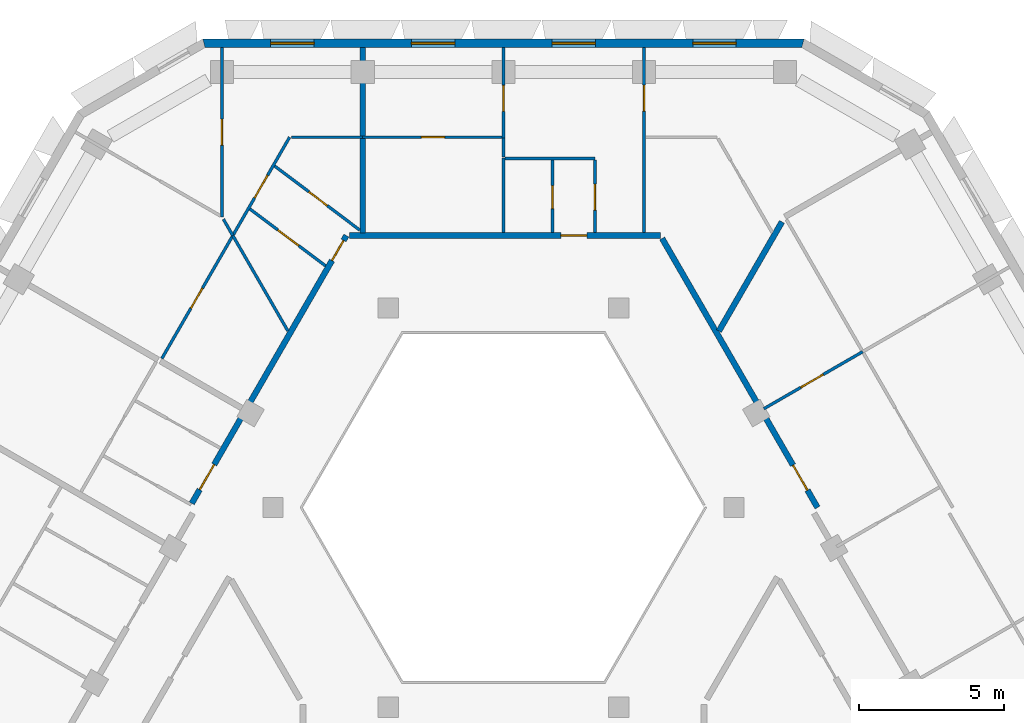
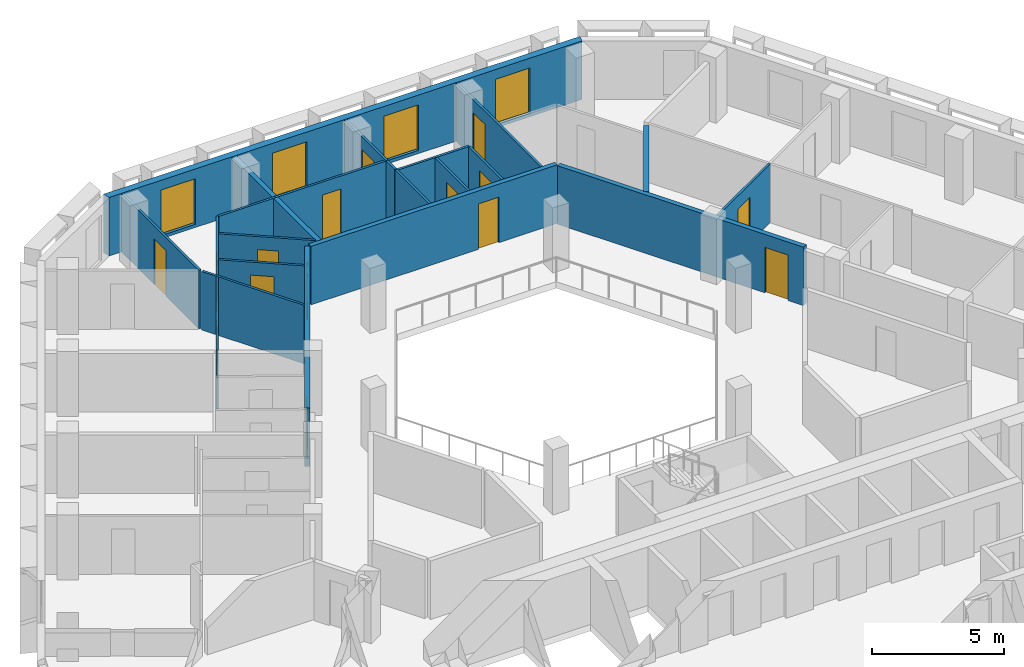
# One storey, part 7 of 15: 22 walls, 15 doors, 4 windows, 19 openings.
"""IFC4 building model written with IfcOpenShell, lengths in metres."""

from ifc_helpers import new_model, si_unit, direction, frame, frame_2d, origin, place, context, subcontext, project, spatial, polyline, rectangle, outline, extrude, material, layer, layer_set, type_object, element, fill, save


model = new_model("IFC4")

# Units and contexts
model_context = context("Model", 3, precision=1e-05, world=origin(), true_north=direction((0.0, 1.0)))
body_context = subcontext(model_context, "Body", "Model", "MODEL_VIEW")
ifc_project = project(units=[si_unit("LENGTHUNIT", "METRE"), si_unit("AREAUNIT", "SQUARE_METRE"), si_unit("VOLUMEUNIT", "CUBIC_METRE"), si_unit("PLANEANGLEUNIT", "RADIAN"), si_unit("MASSUNIT", "GRAM", prefix="KILO")], contexts=[model_context])

# Site, building, storey
site_placement = place(None, origin())
site = spatial("IfcSite", under=ifc_project, at=site_placement, CompositionType="ELEMENT")
building_placement = place(site_placement, origin())
building = spatial("IfcBuilding", under=site, at=building_placement, Name="Beryl Residences", CompositionType="ELEMENT")
storey_placement = place(building_placement, frame((0.0, 0.0, 169.199951171875)))
storey = spatial("IfcBuildingStorey", under=building, at=storey_placement, Name="L51", CompositionType="ELEMENT", Elevation=169.199951171875)

# Wall, openings, windows
ifc_material_1 = material(Name="Composite metal panel with mineral wool insulation")
ifc_layer_1 = layer(ifc_material_1, 0.300048828125)
ifc_layer_set_1 = layer_set([ifc_layer_1], Name="ES1 pale metal composite panel wall 300 mm")
wall_type_1 = type_object("IfcWallType", Name="ES1 pale metal composite panel wall 300 mm", PredefinedType="SOLIDWALL", material=ifc_layer_set_1)
wall_1_placement = place(storey_placement, frame((10.39208984375, 24.050048828125, 0.0), z_axis=(0.0, 0.0, 1.0), x_axis=(-1.0, 0.0, 0.0)))
wall_1 = element("IfcWall", 1, at=wall_1_placement, inside=storey, type_object=wall_type_1, Name="ES1 external wall L51 N", PredefinedType="SOLIDWALL", context=body_context, shape_type="SweptSolid", body=[
    extrude(outline(polyline([(0.0, -0.14990234375), (20.7841796875, -0.14990234375), (20.703857421875, 0.14990234375), (0.080322265625, 0.14990234375), (0.0, -0.14990234375)])), origin(), (0.0, 0.0, 1.0), 2.699951171875),
])
opening_1_placement = place(wall_1_placement, frame((2.345947265625, 0.0, 0.14990234375)))
opening_1 = element("IfcOpeningElement", 2, at=opening_1_placement, cuts=wall_1, Name="Opening W1", PredefinedType="OPENING", context=body_context, shape_type="SweptSolid", body=[
    extrude(rectangle(XDim=1.5, YDim=2.10009765625, at=frame_2d((0.75, 1.050048828125))), frame((0.0, 0.159912109375, 0.0), z_axis=(0.0, -1.0, 0.0), x_axis=(1.0, 0.0, 0.0)), (0.0, 0.0, 1.0), 0.320068359375),
])
opening_2_placement = place(wall_1_placement, frame((7.2099609375, 0.0, 0.14990234375)))
opening_2 = element("IfcOpeningElement", 3, at=opening_2_placement, cuts=wall_1, Name="Opening W1", PredefinedType="OPENING", context=body_context, shape_type="SweptSolid", body=[
    extrude(rectangle(XDim=1.5, YDim=2.10009765625, at=frame_2d((0.75, 1.050048828125))), frame((0.0, 0.159912109375, 0.0), z_axis=(0.0, -1.0, 0.0), x_axis=(1.0, 0.0, 0.0)), (0.0, 0.0, 1.0), 0.320068359375),
])
opening_3_placement = place(wall_1_placement, frame((12.073974609375, 0.0, 0.14990234375)))
opening_3 = element("IfcOpeningElement", 4, at=opening_3_placement, cuts=wall_1, Name="Opening W1", PredefinedType="OPENING", context=body_context, shape_type="SweptSolid", body=[
    extrude(rectangle(XDim=1.5, YDim=2.10009765625, at=frame_2d((0.75, 1.050048828125))), frame((0.0, 0.159912109375, 0.0), z_axis=(0.0, -1.0, 0.0), x_axis=(1.0, 0.0, 0.0)), (0.0, 0.0, 1.0), 0.320068359375),
])
opening_4_placement = place(wall_1_placement, frame((16.93798828125, 0.0, 0.14990234375)))
opening_4 = element("IfcOpeningElement", 5, at=opening_4_placement, cuts=wall_1, Name="Opening W1", PredefinedType="OPENING", context=body_context, shape_type="SweptSolid", body=[
    extrude(rectangle(XDim=1.5, YDim=2.10009765625, at=frame_2d((0.75, 1.050048828125))), frame((0.0, 0.159912109375, 0.0), z_axis=(0.0, -1.0, 0.0), x_axis=(1.0, 0.0, 0.0)), (0.0, 0.0, 1.0), 0.320068359375),
])
ifc_material_2 = material(Name="Aluminium and clear glass", Category="aluminium")
window_type = type_object("IfcWindowType", Name="W1 cell window 1500 x 2100 mm", PartitioningType="SINGLE_PANEL", PredefinedType="WINDOW", material=ifc_material_2)
window_1_placement = place(opening_1_placement, origin())
window_1 = element("IfcWindow", 6, at=window_1_placement, inside=storey, type_object=window_type, Name="W1 window L51 N 2", OverallHeight=2.10009765625, OverallWidth=1.5, PartitioningType="SINGLE_PANEL", PredefinedType="WINDOW", context=body_context, shape_type="SweptSolid", body=[
    extrude(rectangle(XDim=1.5, YDim=2.10009765625, at=frame_2d((0.75, 1.050048828125))), frame((0.0, 0.030029296875, 0.0), z_axis=(0.0, -1.0, 0.0), x_axis=(1.0, 0.0, 0.0)), (0.0, 0.0, 1.0), 0.06005859375),
])
fill(opening_1, window_1)
window_2_placement = place(opening_2_placement, origin())
window_2 = element("IfcWindow", 7, at=window_2_placement, inside=storey, type_object=window_type, Name="W1 window L51 N 4", OverallHeight=2.10009765625, OverallWidth=1.5, PartitioningType="SINGLE_PANEL", PredefinedType="WINDOW", context=body_context, shape_type="SweptSolid", body=[
    extrude(rectangle(XDim=1.5, YDim=2.10009765625, at=frame_2d((0.75, 1.050048828125))), frame((0.0, 0.030029296875, 0.0), z_axis=(0.0, -1.0, 0.0), x_axis=(1.0, 0.0, 0.0)), (0.0, 0.0, 1.0), 0.06005859375),
])
fill(opening_2, window_2)
window_3_placement = place(opening_3_placement, origin())
window_3 = element("IfcWindow", 8, at=window_3_placement, inside=storey, type_object=window_type, Name="W1 window L51 N 6", OverallHeight=2.10009765625, OverallWidth=1.5, PartitioningType="SINGLE_PANEL", PredefinedType="WINDOW", context=body_context, shape_type="SweptSolid", body=[
    extrude(rectangle(XDim=1.5, YDim=2.10009765625, at=frame_2d((0.75, 1.050048828125))), frame((0.0, 0.030029296875, 0.0), z_axis=(0.0, -1.0, 0.0), x_axis=(1.0, 0.0, 0.0)), (0.0, 0.0, 1.0), 0.06005859375),
])
fill(opening_3, window_3)
window_4_placement = place(opening_4_placement, origin())
window_4 = element("IfcWindow", 9, at=window_4_placement, inside=storey, type_object=window_type, Name="W1 window L51 N 8", OverallHeight=2.10009765625, OverallWidth=1.5, PartitioningType="SINGLE_PANEL", PredefinedType="WINDOW", context=body_context, shape_type="SweptSolid", body=[
    extrude(rectangle(XDim=1.5, YDim=2.10009765625, at=frame_2d((0.75, 1.050048828125))), frame((0.0, 0.030029296875, 0.0), z_axis=(0.0, -1.0, 0.0), x_axis=(1.0, 0.0, 0.0)), (0.0, 0.0, 1.0), 0.06005859375),
])
fill(opening_4, window_4)

# Walls
ifc_material_3 = material(Name="Gypsum board partition on steel studs", Category="steel")
ifc_layer_2 = layer(ifc_material_3, 0.10009765625)
ifc_layer_set_2 = layer_set([ifc_layer_2], Name="PT1 partition 100 mm gypsum board on steel studs")
wall_type_2 = type_object("IfcWallType", Name="PT1 partition 100 mm gypsum board on steel studs", PredefinedType="PARTITIONING", material=ifc_layer_set_2)
wall_2_placement = place(storey_placement, frame((-9.677978515625, 17.964111328125, 0.0), z_axis=(0.0, 0.0, 1.0), x_axis=(0.500208928872, -0.865904745036, 0.0)))
element("IfcWall", 10, at=wall_2_placement, inside=storey, type_object=wall_type_2, Name="Wall PT1 L51 001", PredefinedType="PARTITIONING", context=body_context, shape_type="SweptSolid", body=[
    extrude(rectangle(XDim=0.651611328125, YDim=0.10009765625, at=frame_2d((0.32568359375, 0.0))), origin(), (0.0, 0.0, 1.0), 2.699951171875),
])
wall_3_placement = place(storey_placement, frame((0.0, 20.76904296875, 0.0), z_axis=(0.0, 0.0, 1.0), x_axis=(0.0, -1.0, 0.0)))
element("IfcWall", 11, at=wall_3_placement, inside=storey, type_object=wall_type_2, Name="Wall PT1 L51 006", PredefinedType="PARTITIONING", context=body_context, shape_type="SweptSolid", body=[
    extrude(rectangle(XDim=0.658935546875, YDim=0.10009765625, at=frame_2d((0.32958984375, 0.0))), origin(), (0.0, 0.0, 1.0), 2.699951171875),
])

# Wall, opening, door
wall_4_placement = place(storey_placement, frame((3.162109375, 20.009033203125, 0.0), z_axis=(0.0, 0.0, 1.0), x_axis=(0.0, -1.0, 0.0)))
wall_4 = element("IfcWall", 12, at=wall_4_placement, inside=storey, type_object=wall_type_2, Name="Wall PT1 L51 007", PredefinedType="PARTITIONING", context=body_context, shape_type="SweptSolid", body=[
    extrude(rectangle(XDim=2.509033203125, YDim=0.10009765625, at=frame_2d((1.25439453125, 0.0))), origin(), (0.0, 0.0, 1.0), 2.699951171875),
])
opening_5_placement = place(wall_4_placement, frame((0.8291015625, 0.0, 0.0)))
opening_5 = element("IfcOpeningElement", 13, at=opening_5_placement, cuts=wall_4, Name="Opening D1625", PredefinedType="OPENING", context=body_context, shape_type="SweptSolid", body=[
    extrude(rectangle(XDim=0.89990234375, YDim=2.10009765625, at=frame_2d((0.449951171875, 1.050048828125))), frame((0.0, 0.06005859375, 0.0), z_axis=(0.0, -1.0, 0.0), x_axis=(1.0, 0.0, 0.0)), (0.0, 0.0, 1.0), 0.1201171875),
])
ifc_material_4 = material(Name="Timber door leaf", Category="wood")
door_type_1 = type_object("IfcDoorType", Name="D2 room door 900 x 2100 mm", OperationType="SINGLE_SWING_LEFT", PredefinedType="DOOR", material=ifc_material_4)
door_1_placement = place(opening_5_placement, origin())
door_1 = element("IfcDoor", 14, at=door_1_placement, inside=storey, type_object=door_type_1, Name="Door D1625 L51 001", OperationType="SINGLE_SWING_LEFT", OverallHeight=2.10009765625, OverallWidth=0.89990234375, PredefinedType="DOOR", context=body_context, shape_type="SweptSolid", body=[
    extrude(rectangle(XDim=0.89990234375, YDim=2.10009765625, at=frame_2d((0.449951171875, 1.050048828125))), frame((0.0, 0.02490234375, 0.0), z_axis=(0.0, -1.0, 0.0), x_axis=(1.0, 0.0, 0.0)), (0.0, 0.0, 1.0), 0.050048828125),
])
fill(opening_5, door_1)

wall_5_placement = place(storey_placement, frame((-8.762939453125, 18.321044921875, 0.0), z_axis=(0.0, 0.0, 1.0), x_axis=(0.798861914713, -0.601514456369, 0.0)))
wall_5 = element("IfcWall", 15, at=wall_5_placement, inside=storey, type_object=wall_type_2, Name="Wall PT1 L51 015", PredefinedType="PARTITIONING", context=body_context, shape_type="SweptSolid", body=[
    extrude(rectangle(XDim=3.2734375, YDim=0.10009765625, at=frame_2d((1.63671875, 0.0))), origin(), (0.0, 0.0, 1.0), 2.699951171875),
])
opening_6_placement = place(wall_5_placement, frame((1.2119140625, 0.0, 0.0)))
opening_6 = element("IfcOpeningElement", 16, at=opening_6_placement, cuts=wall_5, Name="Opening D1633", PredefinedType="OPENING", context=body_context, shape_type="SweptSolid", body=[
    extrude(rectangle(XDim=0.89990234375, YDim=2.10009765625, at=frame_2d((0.449951171875, 1.050048828125))), frame((0.0, 0.06005859375, 0.0), z_axis=(0.0, -1.0, 0.0), x_axis=(1.0, 0.0, 0.0)), (0.0, 0.0, 1.0), 0.1201171875),
])
door_2_placement = place(opening_6_placement, origin())
door_2 = element("IfcDoor", 17, at=door_2_placement, inside=storey, type_object=door_type_1, Name="Door D1633 L51 001", OperationType="SINGLE_SWING_LEFT", OverallHeight=2.10009765625, OverallWidth=0.89990234375, PredefinedType="DOOR", context=body_context, shape_type="SweptSolid", body=[
    extrude(rectangle(XDim=0.89990234375, YDim=2.10009765625, at=frame_2d((0.449951171875, 1.050048828125))), frame((0.0, 0.02490234375, 0.0), z_axis=(0.0, -1.0, 0.0), x_axis=(1.0, 0.0, 0.0)), (0.0, 0.0, 1.0), 0.050048828125),
])
fill(opening_6, door_2)

wall_6_placement = place(storey_placement, frame((-7.906005859375, 19.803955078125, 0.0), z_axis=(0.0, 0.0, 1.0), x_axis=(0.798741470056, -0.60167438371, 0.0)))
wall_6 = element("IfcWall", 18, at=wall_6_placement, inside=storey, type_object=wall_type_2, Name="Wall PT1 L51 016", PredefinedType="PARTITIONING", context=body_context, shape_type="SweptSolid", body=[
    extrude(rectangle(XDim=3.68310546875, YDim=0.10009765625, at=frame_2d((1.841552734375, 0.0))), origin(), (0.0, 0.0, 1.0), 2.699951171875),
])
opening_7_placement = place(wall_6_placement, frame((1.47900390625, 0.0, 0.0)))
opening_7 = element("IfcOpeningElement", 19, at=opening_7_placement, cuts=wall_6, Name="Opening D1632", PredefinedType="OPENING", context=body_context, shape_type="SweptSolid", body=[
    extrude(rectangle(XDim=0.800048828125, YDim=2.10009765625, at=frame_2d((0.39990234375, 1.050048828125))), frame((0.0, 0.06005859375, 0.0), z_axis=(0.0, -1.0, 0.0), x_axis=(1.0, 0.0, 0.0)), (0.0, 0.0, 1.0), 0.1201171875),
])
ifc_material_5 = material(Name="Timber door leaf", Category="wood")
door_type_2 = type_object("IfcDoorType", Name="D3 bathroom door 800 x 2100 mm", OperationType="SINGLE_SWING_LEFT", PredefinedType="DOOR", material=ifc_material_5)
door_3_placement = place(opening_7_placement, origin())
door_3 = element("IfcDoor", 20, at=door_3_placement, inside=storey, type_object=door_type_2, Name="Door D1632 L51 001", OperationType="SINGLE_SWING_RIGHT", OverallHeight=2.10009765625, OverallWidth=0.800048828125, PredefinedType="DOOR", context=body_context, shape_type="SweptSolid", body=[
    extrude(rectangle(XDim=0.800048828125, YDim=2.10009765625, at=frame_2d((0.39990234375, 1.050048828125))), frame((0.0, 0.02490234375, 0.0), z_axis=(0.0, -1.0, 0.0), x_axis=(1.0, 0.0, 0.0)), (0.0, 0.0, 1.0), 0.050048828125),
])
fill(opening_7, door_3)

# Walls
wall_7_placement = place(storey_placement, frame((0.050048828125, 20.06005859375, 0.0), z_axis=(0.0, 0.0, 1.0), x_axis=(1.0, 0.0, 0.0)))
element("IfcWall", 21, at=wall_7_placement, inside=storey, type_object=wall_type_2, Name="Wall PT1 L51 022", PredefinedType="PARTITIONING", context=body_context, shape_type="SweptSolid", body=[
    extrude(rectangle(XDim=3.11083984375, YDim=0.10009765625, at=frame_2d((1.555419921875, 0.0))), origin(), (0.0, 0.0, 1.0), 2.699951171875),
])
wall_8_placement = place(storey_placement, frame((-7.33203125, 20.799072265625, 0.0), z_axis=(0.0, 0.0, 1.0), x_axis=(1.0, 0.0, 0.0)))
element("IfcWall", 22, at=wall_8_placement, inside=storey, type_object=wall_type_2, Name="Wall PT1 L51 023", PredefinedType="PARTITIONING", context=body_context, shape_type="SweptSolid", body=[
    extrude(rectangle(XDim=2.468017578125, YDim=0.10009765625, at=frame_2d((1.23388671875, 0.0))), origin(), (0.0, 0.0, 1.0), 2.699951171875),
])

# Wall, openings, doors
wall_9_placement = place(storey_placement, frame((-11.805908203125, 13.14892578125, 0.0), z_axis=(0.0, 0.0, 1.0), x_axis=(0.499932199895, 0.866064544655, 0.0)))
wall_9 = element("IfcWall", 23, at=wall_9_placement, inside=storey, type_object=wall_type_2, Name="Wall PT1 L51 026", PredefinedType="PARTITIONING", context=body_context, shape_type="SweptSolid", body=[
    extrude(rectangle(XDim=8.833251953125, YDim=0.10009765625, at=frame_2d((4.41650390625, 0.0))), origin(), (0.0, 0.0, 1.0), 2.699951171875),
])
opening_8_placement = place(wall_9_placement, frame((6.4130859375, 0.0, 0.0)))
opening_8 = element("IfcOpeningElement", 24, at=opening_8_placement, cuts=wall_9, Name="Opening D1634", PredefinedType="OPENING", context=body_context, shape_type="SweptSolid", body=[
    extrude(rectangle(XDim=0.89990234375, YDim=2.10009765625, at=frame_2d((0.449951171875, 1.050048828125))), frame((0.0, 0.06005859375, 0.0), z_axis=(0.0, -1.0, 0.0), x_axis=(1.0, 0.0, 0.0)), (0.0, 0.0, 1.0), 0.1201171875),
])
opening_9_placement = place(wall_9_placement, frame((2.00390625, 0.0, 0.0)))
opening_9 = element("IfcOpeningElement", 25, at=opening_9_placement, cuts=wall_9, Name="Opening D1637", PredefinedType="OPENING", context=body_context, shape_type="SweptSolid", body=[
    extrude(rectangle(XDim=0.800048828125, YDim=2.10009765625, at=frame_2d((0.39990234375, 1.050048828125))), frame((0.0, 0.06005859375, 0.0), z_axis=(0.0, -1.0, 0.0), x_axis=(1.0, 0.0, 0.0)), (0.0, 0.0, 1.0), 0.1201171875),
])
door_4_placement = place(opening_8_placement, origin())
door_4 = element("IfcDoor", 26, at=door_4_placement, inside=storey, type_object=door_type_1, Name="Door D1634 L51 001", OperationType="SINGLE_SWING_RIGHT", OverallHeight=2.10009765625, OverallWidth=0.89990234375, PredefinedType="DOOR", context=body_context, shape_type="SweptSolid", body=[
    extrude(rectangle(XDim=0.89990234375, YDim=2.10009765625, at=frame_2d((0.449951171875, 1.050048828125))), frame((0.0, 0.02490234375, 0.0), z_axis=(0.0, -1.0, 0.0), x_axis=(1.0, 0.0, 0.0)), (0.0, 0.0, 1.0), 0.050048828125),
])
fill(opening_8, door_4)
door_5_placement = place(opening_9_placement, origin())
door_5 = element("IfcDoor", 27, at=door_5_placement, inside=storey, type_object=door_type_2, Name="Door D1637 L51 001", OperationType="SINGLE_SWING_LEFT", OverallHeight=2.10009765625, OverallWidth=0.800048828125, PredefinedType="DOOR", context=body_context, shape_type="SweptSolid", body=[
    extrude(rectangle(XDim=0.800048828125, YDim=2.10009765625, at=frame_2d((0.39990234375, 1.050048828125))), frame((0.0, 0.02490234375, 0.0), z_axis=(0.0, -1.0, 0.0), x_axis=(1.0, 0.0, 0.0)), (0.0, 0.0, 1.0), 0.050048828125),
])
fill(opening_9, door_5)

# Wall, opening, door
wall_10_placement = place(storey_placement, frame((4.864013671875, 17.5, 0.0), z_axis=(0.0, 0.0, 1.0), x_axis=(0.0, 1.0, 0.0)))
wall_10 = element("IfcWall", 28, at=wall_10_placement, inside=storey, type_object=wall_type_2, Name="Wall PT1 L51 031", PredefinedType="PARTITIONING", context=body_context, shape_type="SweptSolid", body=[
    extrude(rectangle(XDim=6.39990234375, YDim=0.10009765625, at=frame_2d((3.199951171875, 0.0))), origin(), (0.0, 0.0, 1.0), 2.699951171875),
])
opening_10_placement = place(wall_10_placement, frame((4.199951171875, 0.0, 0.0)))
opening_10 = element("IfcOpeningElement", 29, at=opening_10_placement, cuts=wall_10, Name="Opening D1628", PredefinedType="OPENING", context=body_context, shape_type="SweptSolid", body=[
    extrude(rectangle(XDim=0.89990234375, YDim=2.10009765625, at=frame_2d((0.449951171875, 1.050048828125))), frame((0.0, 0.06005859375, 0.0), z_axis=(0.0, -1.0, 0.0), x_axis=(1.0, 0.0, 0.0)), (0.0, 0.0, 1.0), 0.1201171875),
])
door_6_placement = place(opening_10_placement, origin())
door_6 = element("IfcDoor", 30, at=door_6_placement, inside=storey, type_object=door_type_1, Name="Door D1628 L51 001", OperationType="SINGLE_SWING_RIGHT", OverallHeight=2.10009765625, OverallWidth=0.89990234375, PredefinedType="DOOR", context=body_context, shape_type="SweptSolid", body=[
    extrude(rectangle(XDim=0.89990234375, YDim=2.10009765625, at=frame_2d((0.449951171875, 1.050048828125))), frame((0.0, 0.02490234375, 0.0), z_axis=(0.0, -1.0, 0.0), x_axis=(1.0, 0.0, 0.0)), (0.0, 0.0, 1.0), 0.050048828125),
])
fill(opening_10, door_6)

wall_11_placement = place(storey_placement, frame((1.701904296875, 17.5, 0.0), z_axis=(0.0, 0.0, 1.0), x_axis=(0.0, 1.0, 0.0)))
wall_11 = element("IfcWall", 31, at=wall_11_placement, inside=storey, type_object=wall_type_2, Name="Wall PT1 L51 032", PredefinedType="PARTITIONING", context=body_context, shape_type="SweptSolid", body=[
    extrude(rectangle(XDim=2.510009765625, YDim=0.10009765625, at=frame_2d((1.2548828125, 0.0))), origin(), (0.0, 0.0, 1.0), 2.699951171875),
])
opening_11_placement = place(wall_11_placement, frame((0.830078125, 0.0, 0.0)))
opening_11 = element("IfcOpeningElement", 32, at=opening_11_placement, cuts=wall_11, Name="Opening D1626", PredefinedType="OPENING", context=body_context, shape_type="SweptSolid", body=[
    extrude(rectangle(XDim=0.800048828125, YDim=2.10009765625, at=frame_2d((0.39990234375, 1.050048828125))), frame((0.0, 0.06005859375, 0.0), z_axis=(0.0, -1.0, 0.0), x_axis=(1.0, 0.0, 0.0)), (0.0, 0.0, 1.0), 0.1201171875),
])
door_7_placement = place(opening_11_placement, origin())
door_7 = element("IfcDoor", 33, at=door_7_placement, inside=storey, type_object=door_type_2, Name="Door D1626 L51 001", OperationType="SINGLE_SWING_RIGHT", OverallHeight=2.10009765625, OverallWidth=0.800048828125, PredefinedType="DOOR", context=body_context, shape_type="SweptSolid", body=[
    extrude(rectangle(XDim=0.800048828125, YDim=2.10009765625, at=frame_2d((0.39990234375, 1.050048828125))), frame((0.0, 0.02490234375, 0.0), z_axis=(0.0, -1.0, 0.0), x_axis=(1.0, 0.0, 0.0)), (0.0, 0.0, 1.0), 0.050048828125),
])
fill(opening_11, door_7)

# Wall
wall_12_placement = place(storey_placement, frame((0.0, 17.5, 0.0), z_axis=(0.0, 0.0, 1.0), x_axis=(0.0, 1.0, 0.0)))
element("IfcWall", 34, at=wall_12_placement, inside=storey, type_object=wall_type_2, Name="Wall PT1 L51 036", PredefinedType="PARTITIONING", context=body_context, shape_type="SweptSolid", body=[
    extrude(rectangle(XDim=2.580078125, YDim=0.10009765625, at=frame_2d((1.2900390625, 0.0))), origin(), (0.0, 0.0, 1.0), 2.699951171875),
])

# Wall, opening, door
wall_13_placement = place(storey_placement, frame((0.0, 20.779052734375, 0.0), z_axis=(0.0, 0.0, 1.0), x_axis=(0.0, 1.0, 0.0)))
wall_13 = element("IfcWall", 35, at=wall_13_placement, inside=storey, type_object=wall_type_2, Name="Wall PT1 L51 037", PredefinedType="PARTITIONING", context=body_context, shape_type="SweptSolid", body=[
    extrude(rectangle(XDim=3.120849609375, YDim=0.10009765625, at=frame_2d((1.560546875, 0.0))), origin(), (0.0, 0.0, 1.0), 2.699951171875),
])
opening_12_placement = place(wall_13_placement, frame((0.909912109375, 0.0, 0.0)))
opening_12 = element("IfcOpeningElement", 36, at=opening_12_placement, cuts=wall_13, Name="Opening D1627", PredefinedType="OPENING", context=body_context, shape_type="SweptSolid", body=[
    extrude(rectangle(XDim=0.89990234375, YDim=2.10009765625, at=frame_2d((0.449951171875, 1.050048828125))), frame((0.0, 0.06005859375, 0.0), z_axis=(0.0, -1.0, 0.0), x_axis=(1.0, 0.0, 0.0)), (0.0, 0.0, 1.0), 0.1201171875),
])
door_8_placement = place(opening_12_placement, origin())
door_8 = element("IfcDoor", 37, at=door_8_placement, inside=storey, type_object=door_type_1, Name="Door D1627 L51 001", OperationType="SINGLE_SWING_LEFT", OverallHeight=2.10009765625, OverallWidth=0.89990234375, PredefinedType="DOOR", context=body_context, shape_type="SweptSolid", body=[
    extrude(rectangle(XDim=0.89990234375, YDim=2.10009765625, at=frame_2d((0.449951171875, 1.050048828125))), frame((0.0, 0.02490234375, 0.0), z_axis=(0.0, -1.0, 0.0), x_axis=(1.0, 0.0, 0.0)), (0.0, 0.0, 1.0), 0.050048828125),
])
fill(opening_12, door_8)

wall_14_placement = place(storey_placement, frame((-9.72802734375, 18.050048828125, 0.0), z_axis=(0.0, 0.0, 1.0), x_axis=(0.0, 1.0, 0.0)))
wall_14 = element("IfcWall", 38, at=wall_14_placement, inside=storey, type_object=wall_type_2, Name="Wall PT1 L51 038", PredefinedType="PARTITIONING", context=body_context, shape_type="SweptSolid", body=[
    extrude(rectangle(XDim=5.849853515625, YDim=0.10009765625, at=frame_2d((2.9248046875, 0.0))), origin(), (0.0, 0.0, 1.0), 2.699951171875),
])
opening_13_placement = place(wall_14_placement, frame((2.47509765625, 0.0, 0.0)))
opening_13 = element("IfcOpeningElement", 39, at=opening_13_placement, cuts=wall_14, Name="Opening D1635", PredefinedType="OPENING", context=body_context, shape_type="SweptSolid", body=[
    extrude(rectangle(XDim=0.89990234375, YDim=2.10009765625, at=frame_2d((0.449951171875, 1.050048828125))), frame((0.0, 0.06005859375, 0.0), z_axis=(0.0, -1.0, 0.0), x_axis=(1.0, 0.0, 0.0)), (0.0, 0.0, 1.0), 0.1201171875),
])
door_9_placement = place(opening_13_placement, origin())
door_9 = element("IfcDoor", 40, at=door_9_placement, inside=storey, type_object=door_type_1, Name="Door D1635 L51 001", OperationType="SINGLE_SWING_LEFT", OverallHeight=2.10009765625, OverallWidth=0.89990234375, PredefinedType="DOOR", context=body_context, shape_type="SweptSolid", body=[
    extrude(rectangle(XDim=0.89990234375, YDim=2.10009765625, at=frame_2d((0.449951171875, 1.050048828125))), frame((0.0, 0.02490234375, 0.0), z_axis=(0.0, -1.0, 0.0), x_axis=(1.0, 0.0, 0.0)), (0.0, 0.0, 1.0), 0.050048828125),
])
fill(opening_13, door_9)

wall_15_placement = place(storey_placement, frame((8.9990234375, 11.4130859375, 0.0), z_axis=(0.0, 0.0, 1.0), x_axis=(0.866076396086, 0.499911668341, 0.0)))
wall_15 = element("IfcWall", 41, at=wall_15_placement, inside=storey, type_object=wall_type_2, Name="Wall PT1 L51 042", PredefinedType="PARTITIONING", context=body_context, shape_type="SweptSolid", body=[
    extrude(rectangle(XDim=3.946533203125, YDim=0.10009765625, at=frame_2d((1.97314453125, 0.0))), origin(), (0.0, 0.0, 1.0), 2.699951171875),
])
opening_14_placement = place(wall_15_placement, frame((1.47412109375, 0.0, 0.0)))
opening_14 = element("IfcOpeningElement", 42, at=opening_14_placement, cuts=wall_15, Name="Opening D1618", PredefinedType="OPENING", context=body_context, shape_type="SweptSolid", body=[
    extrude(rectangle(XDim=0.89990234375, YDim=2.10009765625, at=frame_2d((0.449951171875, 1.050048828125))), frame((0.0, 0.06005859375, 0.0), z_axis=(0.0, -1.0, 0.0), x_axis=(1.0, 0.0, 0.0)), (0.0, 0.0, 1.0), 0.1201171875),
])
door_10_placement = place(opening_14_placement, origin())
door_10 = element("IfcDoor", 43, at=door_10_placement, inside=storey, type_object=door_type_1, Name="Door D1618 L51 001", OperationType="SINGLE_SWING_RIGHT", OverallHeight=2.10009765625, OverallWidth=0.89990234375, PredefinedType="DOOR", context=body_context, shape_type="SweptSolid", body=[
    extrude(rectangle(XDim=0.89990234375, YDim=2.10009765625, at=frame_2d((0.449951171875, 1.050048828125))), frame((0.0, 0.02490234375, 0.0), z_axis=(0.0, -1.0, 0.0), x_axis=(1.0, 0.0, 0.0)), (0.0, 0.0, 1.0), 0.050048828125),
])
fill(opening_14, door_10)

# Wall
wall_16_placement = place(storey_placement, frame((-9.35205078125, 17.39990234375, 0.0), z_axis=(0.0, 0.0, 1.0), x_axis=(0.499785326313, -0.866149310225, 0.0)))
element("IfcWall", 44, at=wall_16_placement, inside=storey, type_object=wall_type_2, Name="Wall PT1 L51 043", PredefinedType="PARTITIONING", context=body_context, shape_type="SweptSolid", body=[
    extrude(rectangle(XDim=3.809814453125, YDim=0.10009765625, at=frame_2d((1.90478515625, 0.0))), origin(), (0.0, 0.0, 1.0), 2.699951171875),
])

# Wall, opening, door
wall_17_placement = place(storey_placement, frame((-4.864013671875, 20.799072265625, 0.0), z_axis=(0.0, 0.0, 1.0), x_axis=(1.0, 0.0, 0.0)))
wall_17 = element("IfcWall", 45, at=wall_17_placement, inside=storey, type_object=wall_type_2, Name="Wall PT1 L51 047", PredefinedType="PARTITIONING", context=body_context, shape_type="SweptSolid", body=[
    extrude(rectangle(XDim=4.81396484375, YDim=0.10009765625, at=frame_2d((2.406982421875, 0.0))), origin(), (0.0, 0.0, 1.0), 2.699951171875),
])
opening_15_placement = place(wall_17_placement, frame((2.031982421875, 0.0, 0.0)))
opening_15 = element("IfcOpeningElement", 46, at=opening_15_placement, cuts=wall_17, Name="Opening D1630", PredefinedType="OPENING", context=body_context, shape_type="SweptSolid", body=[
    extrude(rectangle(XDim=0.800048828125, YDim=2.10009765625, at=frame_2d((0.39990234375, 1.050048828125))), frame((0.0, 0.06005859375, 0.0), z_axis=(0.0, -1.0, 0.0), x_axis=(1.0, 0.0, 0.0)), (0.0, 0.0, 1.0), 0.1201171875),
])
door_11_placement = place(opening_15_placement, origin())
door_11 = element("IfcDoor", 47, at=door_11_placement, inside=storey, type_object=door_type_2, Name="Door D1630 L51 001", OperationType="SINGLE_SWING_RIGHT", OverallHeight=2.10009765625, OverallWidth=0.800048828125, PredefinedType="DOOR", context=body_context, shape_type="SweptSolid", body=[
    extrude(rectangle(XDim=0.800048828125, YDim=2.10009765625, at=frame_2d((0.39990234375, 1.050048828125))), frame((0.0, 0.02490234375, 0.0), z_axis=(0.0, -1.0, 0.0), x_axis=(1.0, 0.0, 0.0)), (0.0, 0.0, 1.0), 0.050048828125),
])
fill(opening_15, door_11)

# Walls
ifc_material_6 = material(Name="Acoustic double stud gypsum board wall")
ifc_layer_3 = layer(ifc_material_6, 0.199951171875)
ifc_layer_set_3 = layer_set([ifc_layer_3], Name="PT3 party wall 200 mm acoustic double stud")
wall_type_3 = type_object("IfcWallType", Name="PT3 party wall 200 mm acoustic double stud", PredefinedType="PARTITIONING", material=ifc_layer_set_3)
wall_18_placement = place(storey_placement, frame((7.447998046875, 14.10009765625, 0.0), z_axis=(0.0, 0.0, 1.0), x_axis=(0.500013426303, 0.866017651966, 0.0)))
element("IfcWall", 48, at=wall_18_placement, inside=storey, type_object=wall_type_3, Name="Wall PT3 L51 008", PredefinedType="PARTITIONING", context=body_context, shape_type="SweptSolid", body=[
    extrude(rectangle(XDim=4.35791015625, YDim=0.199951171875, at=frame_2d((2.178955078125, 0.0))), origin(), (0.0, 0.0, 1.0), 2.699951171875),
])
wall_19_placement = place(storey_placement, frame((-4.864013671875, 17.492919921875, 0.0), z_axis=(0.0, 0.0, 1.0), x_axis=(0.0, 1.0, 0.0)))
element("IfcWall", 49, at=wall_19_placement, inside=storey, type_object=wall_type_3, Name="Wall PT3 L51 009", PredefinedType="PARTITIONING", context=body_context, shape_type="SweptSolid", body=[
    extrude(rectangle(XDim=6.406982421875, YDim=0.199951171875, at=frame_2d((3.20361328125, 0.0))), origin(), (0.0, 0.0, 1.0), 2.699951171875),
])

# Wall, opening, door
ifc_material_7 = material(Name="Double stud gypsum board wall")
ifc_layer_4 = layer(ifc_material_7, 0.199951171875)
ifc_layer_set_4 = layer_set([ifc_layer_4], Name="PT4 corridor wall 200 mm double stud")
wall_type_4 = type_object("IfcWallType", Name="PT4 corridor wall 200 mm double stud", PredefinedType="PARTITIONING", material=ifc_layer_set_4)
wall_20_placement = place(storey_placement, frame((5.485107421875, 17.300048828125, 0.0), z_axis=(0.0, 0.0, 1.0), x_axis=(0.499965832213, -0.866045129667, 0.0)))
wall_20 = element("IfcWall", 50, at=wall_20_placement, inside=storey, type_object=wall_type_4, Name="Wall PT4 L51 006", PredefinedType="PARTITIONING", context=body_context, shape_type="SweptSolid", body=[
    extrude(rectangle(XDim=10.738525390625, YDim=0.199951171875, at=frame_2d((5.369140625, 0.0))), origin(), (0.0, 0.0, 1.0), 2.699951171875),
])
opening_16_placement = place(wall_20_placement, frame((9.047119140625, 0.0, 0.0)))
opening_16 = element("IfcOpeningElement", 51, at=opening_16_placement, cuts=wall_20, Name="Opening D1615", PredefinedType="OPENING", context=body_context, shape_type="SweptSolid", body=[
    extrude(rectangle(XDim=1.0, YDim=2.10009765625, at=frame_2d((0.5, 1.050048828125))), frame((0.0, 0.10986328125, 0.0), z_axis=(0.0, -1.0, 0.0), x_axis=(1.0, 0.0, 0.0)), (0.0, 0.0, 1.0), 0.219970703125),
])
ifc_material_8 = material(Name="Timber door leaf", Category="wood")
door_type_3 = type_object("IfcDoorType", Name="D1 flat entrance door 1000 x 2100 mm", OperationType="SINGLE_SWING_LEFT", PredefinedType="DOOR", material=ifc_material_8)
door_12_placement = place(opening_16_placement, origin())
door_12 = element("IfcDoor", 52, at=door_12_placement, inside=storey, type_object=door_type_3, Name="Door D1615 L51 001", OperationType="SINGLE_SWING_LEFT", OverallHeight=2.10009765625, OverallWidth=1.0, PredefinedType="DOOR", context=body_context, shape_type="SweptSolid", body=[
    extrude(rectangle(XDim=1.0, YDim=2.10009765625, at=frame_2d((0.5, 1.050048828125))), frame((0.0, 0.02490234375, 0.0), z_axis=(0.0, -1.0, 0.0), x_axis=(1.0, 0.0, 0.0)), (0.0, 0.0, 1.0), 0.050048828125),
])
fill(opening_16, door_12)

wall_21_placement = place(storey_placement, frame((-5.31201171875, 17.39990234375, 0.0), z_axis=(0.0, 0.0, 1.0), x_axis=(1.0, 0.0, 0.0)))
wall_21 = element("IfcWall", 53, at=wall_21_placement, inside=storey, type_object=wall_type_4, Name="Wall PT4 L51 014", PredefinedType="PARTITIONING", context=body_context, shape_type="SweptSolid", body=[
    extrude(rectangle(XDim=10.738037109375, YDim=0.199951171875, at=frame_2d((5.369140625, 0.0))), origin(), (0.0, 0.0, 1.0), 2.699951171875),
])
opening_17_placement = place(wall_21_placement, frame((7.2939453125, 0.0, 0.0)))
opening_17 = element("IfcOpeningElement", 54, at=opening_17_placement, cuts=wall_21, Name="Opening D1624", PredefinedType="OPENING", context=body_context, shape_type="SweptSolid", body=[
    extrude(rectangle(XDim=0.89990234375, YDim=2.10009765625, at=frame_2d((0.449951171875, 1.050048828125))), frame((0.0, 0.10986328125, 0.0), z_axis=(0.0, -1.0, 0.0), x_axis=(1.0, 0.0, 0.0)), (0.0, 0.0, 1.0), 0.219970703125),
])
ifc_material_9 = material(Name="Timber door leaf", Category="wood")
door_type_4 = type_object("IfcDoorType", Name="D11 flat entrance door 900 x 2100 mm", OperationType="SINGLE_SWING_LEFT", PredefinedType="DOOR", material=ifc_material_9)
door_13_placement = place(opening_17_placement, origin())
door_13 = element("IfcDoor", 55, at=door_13_placement, inside=storey, type_object=door_type_4, Name="Door D1624 L51 001", OperationType="SINGLE_SWING_RIGHT", OverallHeight=2.10009765625, OverallWidth=0.89990234375, PredefinedType="DOOR", context=body_context, shape_type="SweptSolid", body=[
    extrude(rectangle(XDim=0.89990234375, YDim=2.10009765625, at=frame_2d((0.449951171875, 1.050048828125))), frame((0.0, 0.02490234375, 0.0), z_axis=(0.0, -1.0, 0.0), x_axis=(1.0, 0.0, 0.0)), (0.0, 0.0, 1.0), 0.050048828125),
])
fill(opening_17, door_13)

# Wall, openings, doors
wall_22_placement = place(storey_placement, frame((-10.77099609375, 8.14404296875, 0.0), z_axis=(0.0, 0.0, 1.0), x_axis=(0.500008507724, 0.866020491792, 0.0)))
wall_22 = element("IfcWall", 56, at=wall_22_placement, inside=storey, type_object=wall_type_4, Name="Wall PT4 L51 020", PredefinedType="PARTITIONING", context=body_context, shape_type="SweptSolid", body=[
    extrude(rectangle(XDim=10.687744140625, YDim=0.199951171875, at=frame_2d((5.34375, 0.0))), origin(), (0.0, 0.0, 1.0), 2.699951171875),
])
opening_18_placement = place(wall_22_placement, frame((9.69189453125, 0.0, 0.0)))
opening_18 = element("IfcOpeningElement", 57, at=opening_18_placement, cuts=wall_22, Name="Opening D1631", PredefinedType="OPENING", context=body_context, shape_type="SweptSolid", body=[
    extrude(rectangle(XDim=0.800048828125, YDim=2.10009765625, at=frame_2d((0.39990234375, 1.050048828125))), frame((0.0, 0.10986328125, 0.0), z_axis=(0.0, -1.0, 0.0), x_axis=(1.0, 0.0, 0.0)), (0.0, 0.0, 1.0), 0.219970703125),
])
opening_19_placement = place(wall_22_placement, frame((0.549072265625, 0.0, 0.0)))
opening_19 = element("IfcOpeningElement", 58, at=opening_19_placement, cuts=wall_22, Name="Opening D1638", PredefinedType="OPENING", context=body_context, shape_type="SweptSolid", body=[
    extrude(rectangle(XDim=1.0, YDim=2.10009765625, at=frame_2d((0.5, 1.050048828125))), frame((0.0, 0.10986328125, 0.0), z_axis=(0.0, -1.0, 0.0), x_axis=(1.0, 0.0, 0.0)), (0.0, 0.0, 1.0), 0.219970703125),
])
door_14_placement = place(opening_19_placement, origin())
door_14 = element("IfcDoor", 59, at=door_14_placement, inside=storey, type_object=door_type_3, Name="Door D1638 L51 001", OperationType="SINGLE_SWING_RIGHT", OverallHeight=2.10009765625, OverallWidth=1.0, PredefinedType="DOOR", context=body_context, shape_type="SweptSolid", body=[
    extrude(rectangle(XDim=1.0, YDim=2.10009765625, at=frame_2d((0.5, 1.050048828125))), frame((0.0, 0.02490234375, 0.0), z_axis=(0.0, -1.0, 0.0), x_axis=(1.0, 0.0, 0.0)), (0.0, 0.0, 1.0), 0.050048828125),
])
fill(opening_19, door_14)
ifc_material_10 = material(Name="Timber door leaf", Category="wood")
door_type_5 = type_object("IfcDoorType", Name="D12 flat entrance door 800 x 2100 mm", OperationType="SINGLE_SWING_LEFT", PredefinedType="DOOR", material=ifc_material_10)
door_15_placement = place(opening_18_placement, origin())
door_15 = element("IfcDoor", 60, at=door_15_placement, inside=storey, type_object=door_type_5, Name="Door D1631 L51 001", OperationType="SINGLE_SWING_LEFT", OverallHeight=2.10009765625, OverallWidth=0.800048828125, PredefinedType="DOOR", context=body_context, shape_type="SweptSolid", body=[
    extrude(rectangle(XDim=0.800048828125, YDim=2.10009765625, at=frame_2d((0.39990234375, 1.050048828125))), frame((0.0, 0.02490234375, 0.0), z_axis=(0.0, -1.0, 0.0), x_axis=(1.0, 0.0, 0.0)), (0.0, 0.0, 1.0), 0.050048828125),
])
fill(opening_18, door_15)

save(model, "model.ifc")
